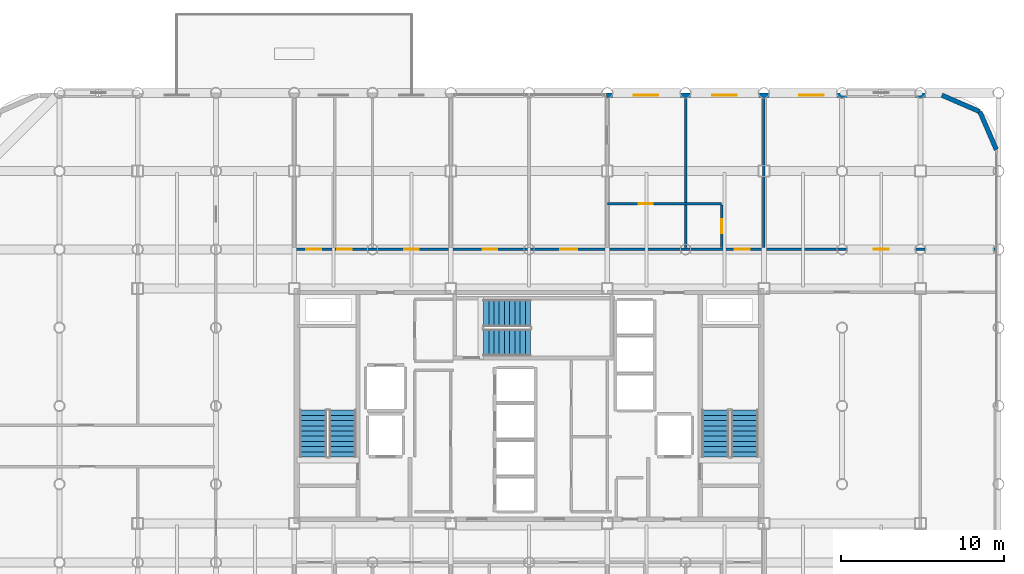
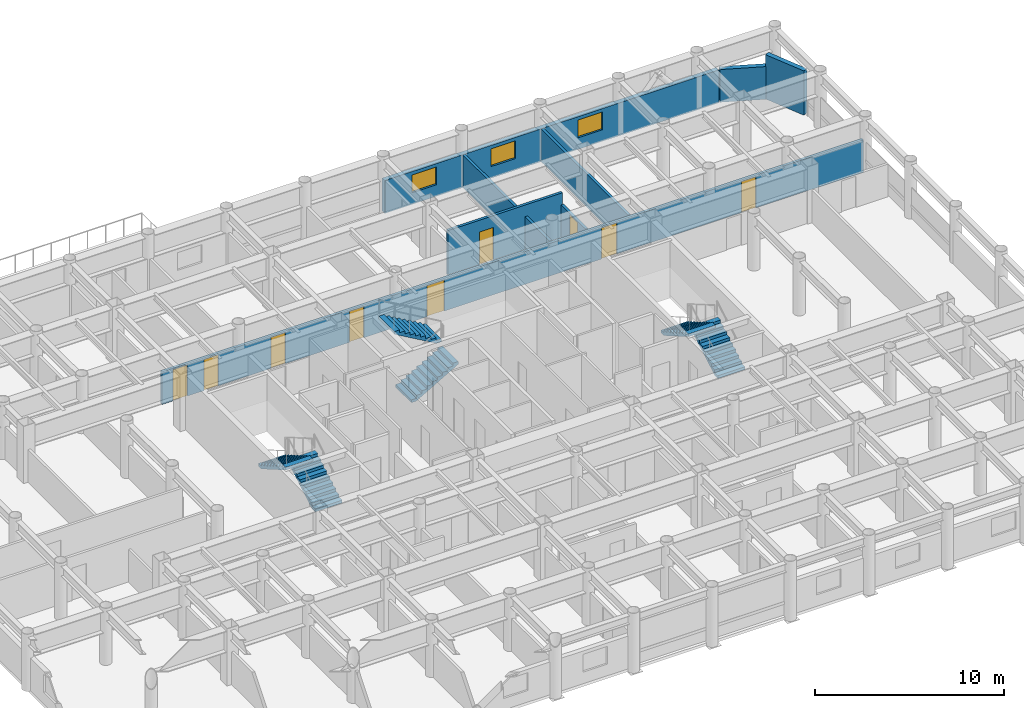
# One storey, part 20 of 22: 9 doors, 8 walls, 6 stair flights, 3 windows, 12 openings, 3 elements without a shape of their own.
"""IFC4 building model written with IfcOpenShell, lengths in metres."""

from ifc_helpers import new_model, si_unit, direction, frame, frame_2d, origin, place, context, subcontext, project, spatial, polyline, rectangle, outline, extrude, material, layer, layer_set, type_object, element, fill, aggregate, save


model = new_model("IFC4")

# Units and contexts
model_context = context("Model", 3, precision=1e-05, world=origin(), true_north=direction((0.0, 1.0)))
body_context = subcontext(model_context, "Body", "Model", "MODEL_VIEW")
ifc_project = project(units=[si_unit("LENGTHUNIT", "METRE"), si_unit("AREAUNIT", "SQUARE_METRE"), si_unit("VOLUMEUNIT", "CUBIC_METRE"), si_unit("PLANEANGLEUNIT", "RADIAN"), si_unit("MASSUNIT", "GRAM", prefix="KILO")], contexts=[model_context])

# Site, building, storey
site_placement = place(None, origin())
site = spatial("IfcSite", under=ifc_project, at=site_placement, CompositionType="ELEMENT")
building_placement = place(site_placement, origin())
building = spatial("IfcBuilding", under=site, at=building_placement, Name="Kallvorn Hotel Tower", CompositionType="ELEMENT")
storey_placement = place(building_placement, frame((0.0, 0.0, 154.39990234375)))
storey = spatial("IfcBuildingStorey", under=building, at=storey_placement, Name="L38", CompositionType="ELEMENT", Elevation=154.39990234375)

# Wall, openings, doors
ifc_material_1 = material(Name="Fire-rated double-layer acoustic gypsum drywall EI 60")
ifc_layer_1 = layer(ifc_material_1, 0.159912109375)
ifc_layer_set_1 = layer_set([ifc_layer_1], Name="WL_DEMISE_160")
wall_type_1 = type_object("IfcWallType", Name="WL_DEMISE_160", PredefinedType="PARTITIONING", material=ifc_layer_set_1)
wall_1_placement = place(storey_placement, frame((-14.320068359375, 9.60009765625, 0.0), z_axis=(0.0, 0.0, 1.0), x_axis=(1.0, 0.0, 0.0)))
wall_1 = element("IfcWall", 1, at=wall_1_placement, inside=storey, type_object=wall_type_1, Name="L38 Suite 3805 Junior Living Salon Partition", PredefinedType="PARTITIONING", context=body_context, shape_type="SweptSolid", body=[
    extrude(rectangle(XDim=42.949951171875, YDim=0.159912109375, at=frame_2d((21.47509765625, 0.0))), origin(), (0.0, 0.0, 1.0), 2.1201171875),
])
opening_1_placement = place(wall_1_placement, frame((35.469970703125, 0.0, 0.0)))
opening_1 = element("IfcOpeningElement", 2, at=opening_1_placement, cuts=wall_1, Name="Opening SVD1A", PredefinedType="OPENING", context=body_context, shape_type="SweptSolid", body=[
    extrude(rectangle(XDim=0.89990234375, YDim=2.02001953125, at=frame_2d((0.449951171875, 1.010009765625))), frame((0.0, 0.094970703125, 0.0), z_axis=(0.0, -1.0, 0.0), x_axis=(1.0, 0.0, 0.0)), (0.0, 0.0, 1.0), 0.18994140625),
])
opening_2_placement = place(wall_1_placement, frame((0.669921875, 0.0, 0.0)))
opening_2 = element("IfcOpeningElement", 3, at=opening_2_placement, cuts=wall_1, Name="Opening SVD1A", PredefinedType="OPENING", context=body_context, shape_type="SweptSolid", body=[
    extrude(rectangle(XDim=0.89990234375, YDim=2.02001953125, at=frame_2d((0.449951171875, 1.010009765625))), frame((0.0, 0.094970703125, 0.0), z_axis=(0.0, -1.0, 0.0), x_axis=(1.0, 0.0, 0.0)), (0.0, 0.0, 1.0), 0.18994140625),
])
opening_3_placement = place(wall_1_placement, frame((2.56005859375, 0.0, 0.0)))
opening_3 = element("IfcOpeningElement", 4, at=opening_3_placement, cuts=wall_1, Name="Opening SVD1A", PredefinedType="OPENING", context=body_context, shape_type="SweptSolid", body=[
    extrude(rectangle(XDim=0.89990234375, YDim=2.02001953125, at=frame_2d((0.449951171875, 1.010009765625))), frame((0.0, 0.094970703125, 0.0), z_axis=(0.0, -1.0, 0.0), x_axis=(1.0, 0.0, 0.0)), (0.0, 0.0, 1.0), 0.18994140625),
])
opening_4_placement = place(wall_1_placement, frame((6.669921875, 0.0, 0.0)))
opening_4 = element("IfcOpeningElement", 5, at=opening_4_placement, cuts=wall_1, Name="Opening SVD1A", PredefinedType="OPENING", context=body_context, shape_type="SweptSolid", body=[
    extrude(rectangle(XDim=0.89990234375, YDim=2.02001953125, at=frame_2d((0.449951171875, 1.010009765625))), frame((0.0, 0.094970703125, 0.0), z_axis=(0.0, -1.0, 0.0), x_axis=(1.0, 0.0, 0.0)), (0.0, 0.0, 1.0), 0.18994140625),
])
opening_5_placement = place(wall_1_placement, frame((11.469970703125, 0.0, 0.0)))
opening_5 = element("IfcOpeningElement", 6, at=opening_5_placement, cuts=wall_1, Name="Opening SVD1A", PredefinedType="OPENING", context=body_context, shape_type="SweptSolid", body=[
    extrude(rectangle(XDim=0.89990234375, YDim=2.02001953125, at=frame_2d((0.449951171875, 1.010009765625))), frame((0.0, 0.094970703125, 0.0), z_axis=(0.0, -1.0, 0.0), x_axis=(1.0, 0.0, 0.0)), (0.0, 0.0, 1.0), 0.18994140625),
])
opening_6_placement = place(wall_1_placement, frame((16.235107421875, 0.0, 0.0)))
opening_6 = element("IfcOpeningElement", 7, at=opening_6_placement, cuts=wall_1, Name="Opening GD2A", PredefinedType="OPENING", context=body_context, shape_type="SweptSolid", body=[
    extrude(rectangle(XDim=1.050048828125, YDim=2.02001953125, at=frame_2d((0.52490234375, 1.010009765625))), frame((0.0, 0.094970703125, 0.0), z_axis=(0.0, -1.0, 0.0), x_axis=(1.0, 0.0, 0.0)), (0.0, 0.0, 1.0), 0.18994140625),
])
opening_7_placement = place(wall_1_placement, frame((26.925048828125, 0.0, 0.0)))
opening_7 = element("IfcOpeningElement", 8, at=opening_7_placement, cuts=wall_1, Name="Opening GD1A", PredefinedType="OPENING", context=body_context, shape_type="SweptSolid", body=[
    extrude(rectangle(XDim=0.919921875, YDim=2.02001953125, at=frame_2d((0.4599609375, 1.010009765625))), frame((0.0, 0.094970703125, 0.0), z_axis=(0.0, -1.0, 0.0), x_axis=(1.0, 0.0, 0.0)), (0.0, 0.0, 1.0), 0.18994140625),
])
ifc_material_2 = material(Name="Solid-core walnut veneer fire-rated timber door leaf", Category="wood")
door_type_1 = type_object("IfcDoorType", Name="DR_GUEST_920x2020", OperationType="NOTDEFINED", PredefinedType="DOOR", material=ifc_material_2)
door_1_placement = place(opening_7_placement, origin())
door_1 = element("IfcDoor", 9, at=door_1_placement, inside=storey, type_object=door_type_1, Name="L38 Suite 3806 Standard Twin Room Door", OperationType="SINGLE_SWING_RIGHT", OverallHeight=2.02001953125, OverallWidth=0.919921875, PredefinedType="DOOR", context=body_context, shape_type="SweptSolid", body=[
    extrude(rectangle(XDim=0.919921875, YDim=2.02001953125, at=frame_2d((0.4599609375, 1.010009765625))), frame((0.0, 0.02490234375, 0.0), z_axis=(0.0, -1.0, 0.0), x_axis=(1.0, 0.0, 0.0)), (0.0, 0.0, 1.0), 0.050048828125),
])
fill(opening_7, door_1)
ifc_material_3 = material(Name="Galvanised painted steel fire-rated door assembly", Category="steel")
door_type_2 = type_object("IfcDoorType", Name="DR_SERV_900x2020", OperationType="NOTDEFINED", PredefinedType="DOOR", material=ifc_material_3)
door_2_placement = place(opening_1_placement, origin())
door_2 = element("IfcDoor", 10, at=door_2_placement, inside=storey, type_object=door_type_2, Name="L38 L38 North-East Monserrate Banquet Hall Door", OperationType="SINGLE_SWING_RIGHT", OverallHeight=2.02001953125, OverallWidth=0.89990234375, PredefinedType="DOOR", context=body_context, shape_type="SweptSolid", body=[
    extrude(rectangle(XDim=0.89990234375, YDim=2.02001953125, at=frame_2d((0.449951171875, 1.010009765625))), frame((0.0, 0.02490234375, 0.0), z_axis=(0.0, -1.0, 0.0), x_axis=(1.0, 0.0, 0.0)), (0.0, 0.0, 1.0), 0.050048828125),
])
fill(opening_1, door_2)
door_3_placement = place(opening_2_placement, origin())
door_3 = element("IfcDoor", 11, at=door_3_placement, inside=storey, type_object=door_type_2, Name="L38 Housekeeping and Linen Room Door", OperationType="SINGLE_SWING_LEFT", OverallHeight=2.02001953125, OverallWidth=0.89990234375, PredefinedType="DOOR", context=body_context, shape_type="SweptSolid", body=[
    extrude(rectangle(XDim=0.89990234375, YDim=2.02001953125, at=frame_2d((0.449951171875, 1.010009765625))), frame((0.0, 0.02490234375, 0.0), z_axis=(0.0, -1.0, 0.0), x_axis=(1.0, 0.0, 0.0)), (0.0, 0.0, 1.0), 0.050048828125),
])
fill(opening_2, door_3)
door_4_placement = place(opening_3_placement, origin())
door_4 = element("IfcDoor", 12, at=door_4_placement, inside=storey, type_object=door_type_2, Name="L38 Guest Tea and Refreshment Bar Door", OperationType="SINGLE_SWING_LEFT", OverallHeight=2.02001953125, OverallWidth=0.89990234375, PredefinedType="DOOR", context=body_context, shape_type="SweptSolid", body=[
    extrude(rectangle(XDim=0.89990234375, YDim=2.02001953125, at=frame_2d((0.449951171875, 1.010009765625))), frame((0.0, 0.02490234375, 0.0), z_axis=(0.0, -1.0, 0.0), x_axis=(1.0, 0.0, 0.0)), (0.0, 0.0, 1.0), 0.050048828125),
])
fill(opening_3, door_4)
door_5_placement = place(opening_4_placement, origin())
door_5 = element("IfcDoor", 13, at=door_5_placement, inside=storey, type_object=door_type_2, Name="L38 L38 Executive Co-Working Open-Plan Office 2-1 Door", OperationType="SINGLE_SWING_RIGHT", OverallHeight=2.02001953125, OverallWidth=0.89990234375, PredefinedType="DOOR", context=body_context, shape_type="SweptSolid", body=[
    extrude(rectangle(XDim=0.89990234375, YDim=2.02001953125, at=frame_2d((0.449951171875, 1.010009765625))), frame((0.0, 0.02490234375, 0.0), z_axis=(0.0, -1.0, 0.0), x_axis=(1.0, 0.0, 0.0)), (0.0, 0.0, 1.0), 0.050048828125),
])
fill(opening_4, door_5)
door_6_placement = place(opening_5_placement, origin())
door_6 = element("IfcDoor", 14, at=door_6_placement, inside=storey, type_object=door_type_2, Name="L38 L38 Executive Co-Working Open-Plan Office 2-2 Door", OperationType="SINGLE_SWING_LEFT", OverallHeight=2.02001953125, OverallWidth=0.89990234375, PredefinedType="DOOR", context=body_context, shape_type="SweptSolid", body=[
    extrude(rectangle(XDim=0.89990234375, YDim=2.02001953125, at=frame_2d((0.449951171875, 1.010009765625))), frame((0.0, 0.02490234375, 0.0), z_axis=(0.0, -1.0, 0.0), x_axis=(1.0, 0.0, 0.0)), (0.0, 0.0, 1.0), 0.050048828125),
])
fill(opening_5, door_6)
ifc_material_4 = material(Name="Solid-core walnut veneer fire-rated timber door leaf", Category="wood")
door_type_3 = type_object("IfcDoorType", Name="DR_SUITE_1050x2020", OperationType="NOTDEFINED", PredefinedType="DOOR", material=ifc_material_4)
door_7_placement = place(opening_6_placement, origin())
door_7 = element("IfcDoor", 15, at=door_7_placement, inside=storey, type_object=door_type_3, Name="L38 Suite 3805 Junior Living Salon Door", OperationType="SINGLE_SWING_LEFT", OverallHeight=2.02001953125, OverallWidth=1.050048828125, PredefinedType="DOOR", context=body_context, shape_type="SweptSolid", body=[
    extrude(rectangle(XDim=1.050048828125, YDim=2.02001953125, at=frame_2d((0.52490234375, 1.010009765625))), frame((0.0, 0.02490234375, 0.0), z_axis=(0.0, -1.0, 0.0), x_axis=(1.0, 0.0, 0.0)), (0.0, 0.0, 1.0), 0.050048828125),
])
fill(opening_6, door_7)

# Wall, opening, door
wall_2_placement = place(storey_placement, frame((4.800048828125, 12.39501953125, 0.0), z_axis=(0.0, 0.0, 1.0), x_axis=(1.0, 0.0, 0.0)))
wall_2 = element("IfcWall", 16, at=wall_2_placement, inside=storey, type_object=wall_type_1, Name="L38 Suite 3805 Junior Bedroom Partition", PredefinedType="PARTITIONING", context=body_context, shape_type="SweptSolid", body=[
    extrude(rectangle(XDim=7.010009765625, YDim=0.159912109375, at=frame_2d((3.5048828125, 0.0))), origin(), (0.0, 0.0, 1.0), 2.8701171875),
])
opening_8_placement = place(wall_2_placement, frame((1.929931640625, 0.0, 0.0)))
opening_8 = element("IfcOpeningElement", 17, at=opening_8_placement, cuts=wall_2, Name="Opening BD-I", PredefinedType="OPENING", context=body_context, shape_type="SweptSolid", body=[
    extrude(rectangle(XDim=0.860107421875, YDim=2.10009765625, at=frame_2d((0.43017578125, 1.050048828125))), frame((0.0, 0.094970703125, 0.0), z_axis=(0.0, -1.0, 0.0), x_axis=(1.0, 0.0, 0.0)), (0.0, 0.0, 1.0), 0.18994140625),
])
ifc_material_5 = material(Name="Solid-core walnut veneer fire-rated timber door leaf", Category="wood")
door_type_4 = type_object("IfcDoorType", Name="DR_BATH_860x2100", OperationType="NOTDEFINED", PredefinedType="DOOR", material=ifc_material_5)
door_8_placement = place(opening_8_placement, origin())
door_8 = element("IfcDoor", 18, at=door_8_placement, inside=storey, type_object=door_type_4, Name="L38 Suite 3805 En-Suite Bathroom Door", OperationType="SINGLE_SWING_RIGHT", OverallHeight=2.10009765625, OverallWidth=0.860107421875, PredefinedType="DOOR", context=body_context, shape_type="SweptSolid", body=[
    extrude(rectangle(XDim=0.860107421875, YDim=2.10009765625, at=frame_2d((0.43017578125, 1.050048828125))), frame((0.0, 0.02490234375, 0.0), z_axis=(0.0, -1.0, 0.0), x_axis=(1.0, 0.0, 0.0)), (0.0, 0.0, 1.0), 0.050048828125),
])
fill(opening_8, door_8)

# Wall
wall_3_placement = place(storey_placement, frame((9.60009765625, 9.719970703125, 0.0), z_axis=(0.0, 0.0, 1.0), x_axis=(0.0, 1.0, 0.0)))
element("IfcWall", 19, at=wall_3_placement, inside=storey, type_object=wall_type_1, Name="L38 Suite 3806 Standard Twin Room Partition", PredefinedType="PARTITIONING", context=body_context, shape_type="SweptSolid", body=[
    extrude(rectangle(XDim=9.18994140625, YDim=0.159912109375, at=frame_2d((4.594970703125, 0.0))), origin(), (0.0, 0.0, 1.0), 2.1201171875),
])

# Wall, opening, door
wall_4_placement = place(storey_placement, frame((11.81005859375, 9.719970703125, 0.0), z_axis=(0.0, 0.0, 1.0), x_axis=(0.0, 1.0, 0.0)))
wall_4 = element("IfcWall", 20, at=wall_4_placement, inside=storey, type_object=wall_type_1, Name="L38 Suite 3806 Standard Twin Room Partition", PredefinedType="PARTITIONING", context=body_context, shape_type="SweptSolid", body=[
    extrude(rectangle(XDim=2.590087890625, YDim=0.159912109375, at=frame_2d((1.294921875, 0.0))), origin(), (0.0, 0.0, 1.0), 2.1201171875),
])
opening_9_placement = place(wall_4_placement, frame((0.8701171875, 0.0, 0.0)))
opening_9 = element("IfcOpeningElement", 21, at=opening_9_placement, cuts=wall_4, Name="Opening BD-IA", PredefinedType="OPENING", context=body_context, shape_type="SweptSolid", body=[
    extrude(rectangle(XDim=0.860107421875, YDim=2.02001953125, at=frame_2d((0.43017578125, 1.010009765625))), frame((0.0, 0.094970703125, 0.0), z_axis=(0.0, -1.0, 0.0), x_axis=(1.0, 0.0, 0.0)), (0.0, 0.0, 1.0), 0.18994140625),
])
ifc_material_6 = material(Name="Solid-core walnut veneer fire-rated timber door leaf", Category="wood")
door_type_5 = type_object("IfcDoorType", Name="DR_BATH_860x2020", OperationType="NOTDEFINED", PredefinedType="DOOR", material=ifc_material_6)
door_9_placement = place(opening_9_placement, origin())
door_9 = element("IfcDoor", 22, at=door_9_placement, inside=storey, type_object=door_type_5, Name="L38 Suite 3806 En-Suite Bathroom Door", OperationType="SINGLE_SWING_LEFT", OverallHeight=2.02001953125, OverallWidth=0.860107421875, PredefinedType="DOOR", context=body_context, shape_type="SweptSolid", body=[
    extrude(rectangle(XDim=0.860107421875, YDim=2.02001953125, at=frame_2d((0.43017578125, 1.010009765625))), frame((0.0, 0.02490234375, 0.0), z_axis=(0.0, -1.0, 0.0), x_axis=(1.0, 0.0, 0.0)), (0.0, 0.0, 1.0), 0.050048828125),
])
fill(opening_9, door_9)

# Walls
wall_5_placement = place(storey_placement, frame((14.39990234375, 9.719970703125, 0.0), z_axis=(0.0, 0.0, 1.0), x_axis=(0.0, 1.0, 0.0)))
element("IfcWall", 23, at=wall_5_placement, inside=storey, type_object=wall_type_1, Name="L38 Suite 3806 Standard Twin Room Partition", PredefinedType="PARTITIONING", context=body_context, shape_type="SweptSolid", body=[
    extrude(rectangle(XDim=9.18994140625, YDim=0.159912109375, at=frame_2d((4.594970703125, 0.0))), origin(), (0.0, 0.0, 1.0), 2.1201171875),
])
ifc_material_7 = material(Name="Precast basalt-clad insulated concrete wall C40/50", Category="masonry")
ifc_layer_2 = layer(ifc_material_7, 0.280029296875)
ifc_layer_set_2 = layer_set([ifc_layer_2], Name="WL_EXT_LOGGIA_280")
wall_type_2 = type_object("IfcWallType", Name="WL_EXT_LOGGIA_280", PredefinedType="SOLIDWALL", material=ifc_layer_set_2)
wall_6_placement = place(storey_placement, frame((28.657958984375, 15.720703125, 0.0), z_axis=(0.0, 0.0, 1.0), x_axis=(-0.398792985289, 0.917040977756, 0.0)))
element("IfcWall", 24, at=wall_6_placement, inside=storey, type_object=wall_type_2, Name="L38 Rounded Corner Exterior Wall NE1", PredefinedType="SOLIDWALL", context=body_context, shape_type="SweptSolid", body=[
    extrude(rectangle(XDim=2.536376953125, YDim=0.280029296875, at=frame_2d((1.26806640625, 0.0))), origin(), (0.0, 0.0, 1.0), 2.8701171875),
])
wall_7_placement = place(storey_placement, frame((27.646484375, 18.046630859375, 0.0), z_axis=(0.0, 0.0, 1.0), x_axis=(-0.917060872934, 0.398747232384, 0.0)))
element("IfcWall", 25, at=wall_7_placement, inside=storey, type_object=wall_type_2, Name="L38 Rounded Corner Exterior Wall NE2", PredefinedType="SOLIDWALL", context=body_context, shape_type="SweptSolid", body=[
    extrude(rectangle(XDim=2.5361328125, YDim=0.280029296875, at=frame_2d((1.26806640625, 0.0))), origin(), (0.0, 0.0, 1.0), 2.1201171875),
])

# Wall, openings, windows
wall_8_placement = place(storey_placement, frame((4.75, 19.06005859375, 0.0), z_axis=(0.0, 0.0, 1.0), x_axis=(1.0, 0.0, 0.0)))
wall_8 = element("IfcWall", 26, at=wall_8_placement, inside=storey, type_object=wall_type_2, Name="L38 Exterior Envelope Wall EW-L38-NE", PredefinedType="SOLIDWALL", context=body_context, shape_type="SweptSolid", body=[
    extrude(rectangle(XDim=20.449951171875, YDim=0.280029296875, at=frame_2d((10.22509765625, 0.0))), origin(), (0.0, 0.0, 1.0), 2.1201171875),
])
opening_10_placement = place(wall_8_placement, frame((11.81689453125, 0.0, 0.75)))
opening_10 = element("IfcOpeningElement", 27, at=opening_10_placement, cuts=wall_8, Name="Opening W05A", PredefinedType="OPENING", context=body_context, shape_type="SweptSolid", body=[
    extrude(rectangle(XDim=1.5, YDim=1.14990234375, at=frame_2d((0.75, 0.574951171875))), frame((0.0, 0.155029296875, 0.0), z_axis=(0.0, -1.0, 0.0), x_axis=(1.0, 0.0, 0.0)), (0.0, 0.0, 1.0), 0.31005859375),
])
opening_11_placement = place(wall_8_placement, frame((1.659912109375, 0.0, 0.75)))
opening_11 = element("IfcOpeningElement", 28, at=opening_11_placement, cuts=wall_8, Name="Opening W05A", PredefinedType="OPENING", context=body_context, shape_type="SweptSolid", body=[
    extrude(rectangle(XDim=1.5, YDim=1.14990234375, at=frame_2d((0.75, 0.574951171875))), frame((0.0, 0.155029296875, 0.0), z_axis=(0.0, -1.0, 0.0), x_axis=(1.0, 0.0, 0.0)), (0.0, 0.0, 1.0), 0.31005859375),
])
opening_12_placement = place(wall_8_placement, frame((6.5, 0.0, 0.75)))
opening_12 = element("IfcOpeningElement", 29, at=opening_12_placement, cuts=wall_8, Name="Opening W05A", PredefinedType="OPENING", context=body_context, shape_type="SweptSolid", body=[
    extrude(rectangle(XDim=1.5, YDim=1.14990234375, at=frame_2d((0.75, 0.574951171875))), frame((0.0, 0.155029296875, 0.0), z_axis=(0.0, -1.0, 0.0), x_axis=(1.0, 0.0, 0.0)), (0.0, 0.0, 1.0), 0.31005859375),
])
ifc_material_8 = material(Name="Double-glazed low-e solar-control dark glass", Category="glass")
window_type = type_object("IfcWindowType", Name="WN_HTL_1500x1150", PartitioningType="SINGLE_PANEL", PredefinedType="WINDOW", material=ifc_material_8)
window_1_placement = place(opening_10_placement, origin())
window_1 = element("IfcWindow", 30, at=window_1_placement, inside=storey, type_object=window_type, Name="L38 Guestroom Exterior Window 04", OverallHeight=1.14990234375, OverallWidth=1.5, PartitioningType="SINGLE_PANEL", PredefinedType="WINDOW", context=body_context, shape_type="SweptSolid", body=[
    extrude(rectangle(XDim=1.5, YDim=1.14990234375, at=frame_2d((0.75, 0.574951171875))), frame((0.0, 0.030029296875, 0.0), z_axis=(0.0, -1.0, 0.0), x_axis=(1.0, 0.0, 0.0)), (0.0, 0.0, 1.0), 0.06005859375),
])
fill(opening_10, window_1)
window_2_placement = place(opening_11_placement, origin())
window_2 = element("IfcWindow", 31, at=window_2_placement, inside=storey, type_object=window_type, Name="L38 Guestroom Exterior Window 11", OverallHeight=1.14990234375, OverallWidth=1.5, PartitioningType="SINGLE_PANEL", PredefinedType="WINDOW", context=body_context, shape_type="SweptSolid", body=[
    extrude(rectangle(XDim=1.5, YDim=1.14990234375, at=frame_2d((0.75, 0.574951171875))), frame((0.0, 0.030029296875, 0.0), z_axis=(0.0, -1.0, 0.0), x_axis=(1.0, 0.0, 0.0)), (0.0, 0.0, 1.0), 0.06005859375),
])
fill(opening_11, window_2)
window_3_placement = place(opening_12_placement, origin())
window_3 = element("IfcWindow", 32, at=window_3_placement, inside=storey, type_object=window_type, Name="L38 Guestroom Exterior Window 12", OverallHeight=1.14990234375, OverallWidth=1.5, PartitioningType="SINGLE_PANEL", PredefinedType="WINDOW", context=body_context, shape_type="SweptSolid", body=[
    extrude(rectangle(XDim=1.5, YDim=1.14990234375, at=frame_2d((0.75, 0.574951171875))), frame((0.0, 0.030029296875, 0.0), z_axis=(0.0, -1.0, 0.0), x_axis=(1.0, 0.0, 0.0)), (0.0, 0.0, 1.0), 0.06005859375),
])
fill(opening_12, window_3)

# Stair, stair flights
ifc_material_9 = material(Name="Precast concrete C40/50", Category="concrete")
stair_type = type_object("IfcStairType", Name="STR_CORE_DOGLEG", PredefinedType="HALF_TURN_STAIR", material=ifc_material_9)
stair_1_placement = place(storey_placement, origin())
stair_1 = element("IfcStair", 33, at=stair_1_placement, inside=storey, type_object=stair_type, Name="L38 Exit stair ST1", PredefinedType="HALF_TURN_STAIR")
ifc_material_10 = material(Name="Precast concrete C40/50", Category="concrete")
stair_flight_type = type_object("IfcStairFlightType", Name="FLT_CORE_1660", PredefinedType="STRAIGHT", material=ifc_material_10)
stair_flight_1_placement = place(storey_placement, frame((-11.429931640625, -3.139892578125, 0.0), z_axis=(0.0, 0.0, 1.0), x_axis=(0.0, 1.0, 0.0)))
stair_flight_1 = element("IfcStairFlight", 34, at=stair_flight_1_placement, type_object=stair_flight_type, Name="ST1 flight 1", NumberOfRisers=10, NumberOfTreads=9, PredefinedType="STRAIGHT", RiserHeight=0.185, TreadLength=0.32, context=body_context, shape_type="SweptSolid", body=[
    extrude(outline(polyline([(0.0, 0.0), (0.0, 0.18505859375), (0.320068359375, 0.18505859375), (0.320068359375, 0.3701171875), (0.639892578125, 0.3701171875), (0.639892578125, 0.554931640625), (0.9599609375, 0.554931640625), (0.9599609375, 0.739990234375), (1.280029296875, 0.739990234375), (1.280029296875, 0.925048828125), (1.60009765625, 0.925048828125), (1.60009765625, 1.110107421875), (1.919921875, 1.110107421875), (1.919921875, 1.294921875), (2.239990234375, 1.294921875), (2.239990234375, 1.47998046875), (2.56005859375, 1.47998046875), (2.56005859375, 1.6650390625), (2.8798828125, 1.6650390625), (2.8798828125, 1.85009765625), (2.8798828125, 1.491943359375), (0.299560546875, 0.0), (0.0, 0.0)])), frame((0.0, 0.830078125, 0.0), z_axis=(0.0, -1.0, 0.0), x_axis=(1.0, 0.0, 0.0)), (0.0, 0.0, 1.0), 1.659912109375),
])
stair_flight_2_placement = place(storey_placement, frame((-13.22998046875, -0.260009765625, 1.85009765625), z_axis=(0.0, 0.0, 1.0), x_axis=(0.0, -1.0, 0.0)))
stair_flight_2 = element("IfcStairFlight", 35, at=stair_flight_2_placement, type_object=stair_flight_type, Name="ST1 flight 2", NumberOfRisers=10, NumberOfTreads=9, PredefinedType="STRAIGHT", RiserHeight=0.185, TreadLength=0.32, context=body_context, shape_type="SweptSolid", body=[
    extrude(outline(polyline([(0.0, 0.0), (0.0, 0.18505859375), (0.320068359375, 0.18505859375), (0.320068359375, 0.3701171875), (0.639892578125, 0.3701171875), (0.639892578125, 0.554931640625), (0.9599609375, 0.554931640625), (0.9599609375, 0.739990234375), (1.280029296875, 0.739990234375), (1.280029296875, 0.925048828125), (1.60009765625, 0.925048828125), (1.60009765625, 1.110107421875), (1.919921875, 1.110107421875), (1.919921875, 1.294921875), (2.239990234375, 1.294921875), (2.239990234375, 1.47998046875), (2.56005859375, 1.47998046875), (2.56005859375, 1.6650390625), (2.8798828125, 1.6650390625), (2.8798828125, 1.85009765625), (2.8798828125, 1.491943359375), (0.299560546875, 0.0), (0.0, 0.0)])), frame((0.0, 0.830078125, 0.0), z_axis=(0.0, -1.0, 0.0), x_axis=(1.0, 0.0, 0.0)), (0.0, 0.0, 1.0), 1.659912109375),
])
aggregate(stair_1, [stair_flight_1, stair_flight_2])

stair_2_placement = place(storey_placement, origin())
stair_2 = element("IfcStair", 36, at=stair_2_placement, inside=storey, type_object=stair_type, Name="L38 Exit stair ST2", PredefinedType="HALF_TURN_STAIR")
stair_flight_3_placement = place(storey_placement, frame((13.22998046875, -3.139892578125, 0.0), z_axis=(0.0, 0.0, 1.0), x_axis=(0.0, 1.0, 0.0)))
stair_flight_3 = element("IfcStairFlight", 37, at=stair_flight_3_placement, type_object=stair_flight_type, Name="ST2 flight 1", NumberOfRisers=10, NumberOfTreads=9, PredefinedType="STRAIGHT", RiserHeight=0.185, TreadLength=0.32, context=body_context, shape_type="SweptSolid", body=[
    extrude(outline(polyline([(0.0, 0.0), (0.0, 0.18505859375), (0.320068359375, 0.18505859375), (0.320068359375, 0.3701171875), (0.639892578125, 0.3701171875), (0.639892578125, 0.554931640625), (0.9599609375, 0.554931640625), (0.9599609375, 0.739990234375), (1.280029296875, 0.739990234375), (1.280029296875, 0.925048828125), (1.60009765625, 0.925048828125), (1.60009765625, 1.110107421875), (1.919921875, 1.110107421875), (1.919921875, 1.294921875), (2.239990234375, 1.294921875), (2.239990234375, 1.47998046875), (2.56005859375, 1.47998046875), (2.56005859375, 1.6650390625), (2.8798828125, 1.6650390625), (2.8798828125, 1.85009765625), (2.8798828125, 1.491943359375), (0.299560546875, 0.0), (0.0, 0.0)])), frame((0.0, 0.830078125, 0.0), z_axis=(0.0, -1.0, 0.0), x_axis=(1.0, 0.0, 0.0)), (0.0, 0.0, 1.0), 1.659912109375),
])
stair_flight_4_placement = place(storey_placement, frame((11.429931640625, -0.260009765625, 1.85009765625), z_axis=(0.0, 0.0, 1.0), x_axis=(0.0, -1.0, 0.0)))
stair_flight_4 = element("IfcStairFlight", 38, at=stair_flight_4_placement, type_object=stair_flight_type, Name="ST2 flight 2", NumberOfRisers=10, NumberOfTreads=9, PredefinedType="STRAIGHT", RiserHeight=0.185, TreadLength=0.32, context=body_context, shape_type="SweptSolid", body=[
    extrude(outline(polyline([(0.0, 0.0), (0.0, 0.18505859375), (0.320068359375, 0.18505859375), (0.320068359375, 0.3701171875), (0.639892578125, 0.3701171875), (0.639892578125, 0.554931640625), (0.9599609375, 0.554931640625), (0.9599609375, 0.739990234375), (1.280029296875, 0.739990234375), (1.280029296875, 0.925048828125), (1.60009765625, 0.925048828125), (1.60009765625, 1.110107421875), (1.919921875, 1.110107421875), (1.919921875, 1.294921875), (2.239990234375, 1.294921875), (2.239990234375, 1.47998046875), (2.56005859375, 1.47998046875), (2.56005859375, 1.6650390625), (2.8798828125, 1.6650390625), (2.8798828125, 1.85009765625), (2.8798828125, 1.491943359375), (0.299560546875, 0.0), (0.0, 0.0)])), frame((0.0, 0.830078125, 0.0), z_axis=(0.0, -1.0, 0.0), x_axis=(1.0, 0.0, 0.0)), (0.0, 0.0, 1.0), 1.659912109375),
])
aggregate(stair_2, [stair_flight_3, stair_flight_4])

stair_3_placement = place(storey_placement, origin())
stair_3 = element("IfcStair", 39, at=stair_3_placement, inside=storey, type_object=stair_type, Name="L38 Exit stair ST3", PredefinedType="HALF_TURN_STAIR")
stair_flight_5_placement = place(storey_placement, frame((-2.7900390625, 3.8798828125, 0.0), z_axis=(0.0, 0.0, 1.0), x_axis=(1.0, 0.0, 0.0)))
stair_flight_5 = element("IfcStairFlight", 40, at=stair_flight_5_placement, type_object=stair_flight_type, Name="ST3 flight 1", NumberOfRisers=10, NumberOfTreads=9, PredefinedType="STRAIGHT", RiserHeight=0.185, TreadLength=0.32, context=body_context, shape_type="SweptSolid", body=[
    extrude(outline(polyline([(0.0, 0.0), (0.0, 0.18505859375), (0.320068359375, 0.18505859375), (0.320068359375, 0.3701171875), (0.639892578125, 0.3701171875), (0.639892578125, 0.554931640625), (0.9599609375, 0.554931640625), (0.9599609375, 0.739990234375), (1.280029296875, 0.739990234375), (1.280029296875, 0.925048828125), (1.60009765625, 0.925048828125), (1.60009765625, 1.110107421875), (1.919921875, 1.110107421875), (1.919921875, 1.294921875), (2.239990234375, 1.294921875), (2.239990234375, 1.47998046875), (2.56005859375, 1.47998046875), (2.56005859375, 1.6650390625), (2.8798828125, 1.6650390625), (2.8798828125, 1.85009765625), (2.8798828125, 1.491943359375), (0.299560546875, 0.0), (0.0, 0.0)])), frame((0.0, 0.830078125, 0.0), z_axis=(0.0, -1.0, 0.0), x_axis=(1.0, 0.0, 0.0)), (0.0, 0.0, 1.0), 1.659912109375),
])
stair_flight_6_placement = place(storey_placement, frame((0.090087890625, 5.679931640625, 1.85009765625), z_axis=(0.0, 0.0, 1.0), x_axis=(-1.0, 0.0, 0.0)))
stair_flight_6 = element("IfcStairFlight", 41, at=stair_flight_6_placement, type_object=stair_flight_type, Name="ST3 flight 2", NumberOfRisers=10, NumberOfTreads=9, PredefinedType="STRAIGHT", RiserHeight=0.185, TreadLength=0.32, context=body_context, shape_type="SweptSolid", body=[
    extrude(outline(polyline([(0.0, 0.0), (0.0, 0.18505859375), (0.320068359375, 0.18505859375), (0.320068359375, 0.3701171875), (0.639892578125, 0.3701171875), (0.639892578125, 0.554931640625), (0.9599609375, 0.554931640625), (0.9599609375, 0.739990234375), (1.280029296875, 0.739990234375), (1.280029296875, 0.925048828125), (1.60009765625, 0.925048828125), (1.60009765625, 1.110107421875), (1.919921875, 1.110107421875), (1.919921875, 1.294921875), (2.239990234375, 1.294921875), (2.239990234375, 1.47998046875), (2.56005859375, 1.47998046875), (2.56005859375, 1.6650390625), (2.8798828125, 1.6650390625), (2.8798828125, 1.85009765625), (2.8798828125, 1.491943359375), (0.299560546875, 0.0), (0.0, 0.0)])), frame((0.0, 0.830078125, 0.0), z_axis=(0.0, -1.0, 0.0), x_axis=(1.0, 0.0, 0.0)), (0.0, 0.0, 1.0), 1.659912109375),
])
aggregate(stair_3, [stair_flight_5, stair_flight_6])

save(model, "model.ifc")
